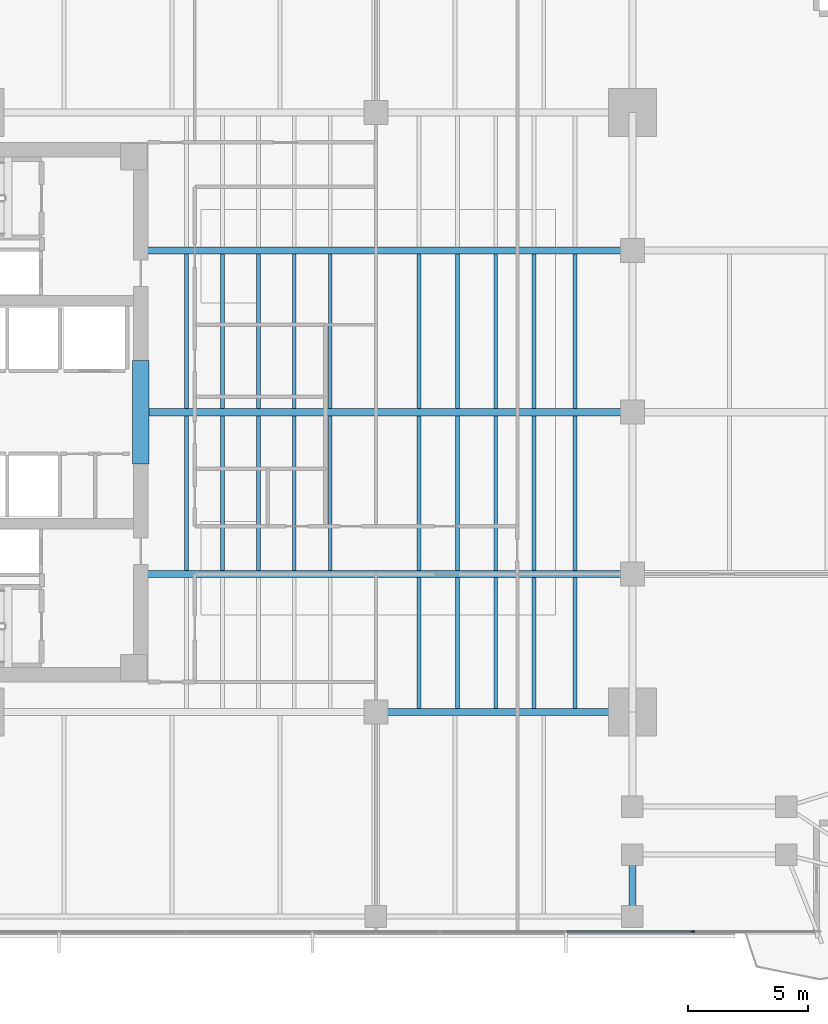
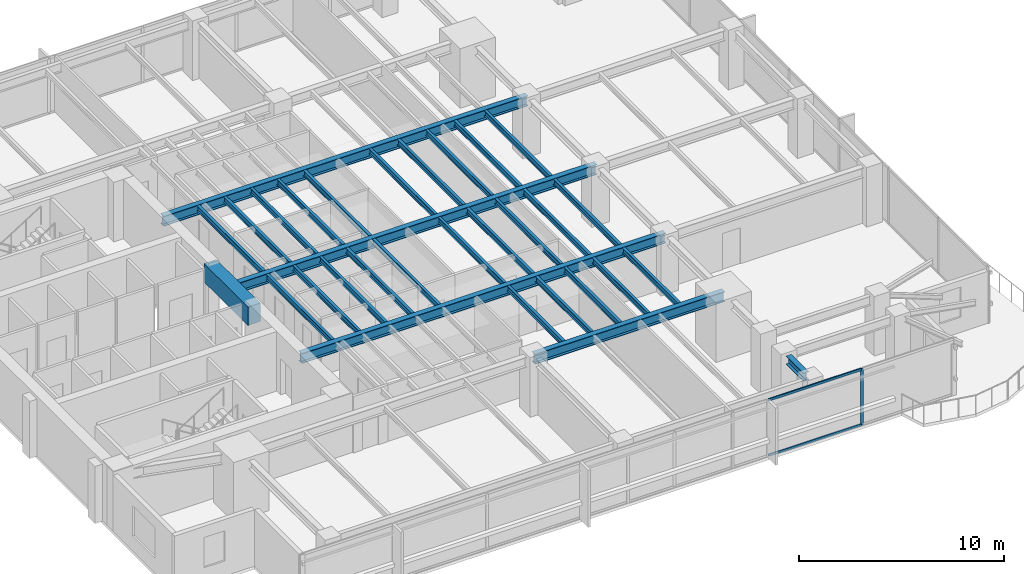
# One storey, part 3 of 14: 31 beams, 3 members, 1 element without a shape of its own.
"""IFC4 building model written with IfcOpenShell, lengths in metres."""

from ifc_helpers import new_model, si_unit, direction, frame, origin, origin_2d, place, context, subcontext, project, spatial, rectangle, i_section, extrude, material, layer, layer_set, material_profile, profile_set, type_object, element, aggregate, save


model = new_model("IFC4")

# Units and contexts
model_context = context("Model", 3, precision=1e-05, world=origin(), true_north=direction((0.0, 1.0)))
body_context = subcontext(model_context, "Body", "Model", "MODEL_VIEW")
ifc_project = project(units=[si_unit("LENGTHUNIT", "METRE"), si_unit("AREAUNIT", "SQUARE_METRE"), si_unit("VOLUMEUNIT", "CUBIC_METRE"), si_unit("PLANEANGLEUNIT", "RADIAN"), si_unit("MASSUNIT", "GRAM", prefix="KILO")], contexts=[model_context])

# Site, building, storey
site_placement = place(None, origin())
site = spatial("IfcSite", under=ifc_project, at=site_placement, CompositionType="ELEMENT")
building_placement = place(site_placement, origin())
building = spatial("IfcBuilding", under=site, at=building_placement, Name="Kinhvarn Gate Tower", CompositionType="ELEMENT")
storey_placement = place(building_placement, frame((0.0, 0.0, 137.75)))
storey = spatial("IfcBuildingStorey", under=building, at=storey_placement, Name="L36", CompositionType="ELEMENT", Elevation=137.75)

# Beam
ifc_material_1 = material(Name="Concrete C70/85", Category="concrete")
ifc_material_profile_1 = material_profile(ifc_material_1, rectangle(XDim=0.699951171875, YDim=1.10009765625, at=origin_2d()), Name="RC 700x1100")
ifc_profile_set_1 = profile_set([ifc_material_profile_1], Name="Concrete C70/85")
beam_type_1 = type_object("IfcBeamType", Name="BM-CB-1100", PredefinedType="LINTEL", material=ifc_profile_set_1)
beam_1_placement = place(storey_placement, frame((17.699951171875, 23.10009765625, 2.820068359375), z_axis=(0.0, 1.0, 0.0), x_axis=(-1.0, 0.0, 0.0)))
element("IfcBeam", 1, at=beam_1_placement, inside=storey, type_object=beam_type_1, Name="Core East Portal Coupling Beam L36", PredefinedType="LINTEL", context=body_context, shape_type="SweptSolid", body=[
    extrude(rectangle(XDim=0.699951171875, YDim=1.10009765625, at=origin_2d()), origin(), (0.0, 0.0, 1.0), 4.2998046875),
])

# Curtain wall, members
ifc_material_2 = material(Name="Anodised aluminium AW-6063", Category="aluminium")
ifc_layer = layer(ifc_material_2, 0.179931640625)
ifc_layer_set = layer_set([ifc_layer], Name="Anodised aluminium AW-6063")
curtain_wall_type = type_object("IfcCurtainWallType", Name="CW-SYS-3", PredefinedType="NOTDEFINED", material=ifc_layer_set)
curtain_wall_placement = place(storey_placement, origin())
curtain_wall = element("IfcCurtainWall", 2, at=curtain_wall_placement, inside=storey, type_object=curtain_wall_type, Name="Curtain Wall CW3 (L36)", PredefinedType="NOTDEFINED")
ifc_material_profile_2 = material_profile(ifc_material_2, rectangle(XDim=0.06494140625, YDim=0.159912109375, at=origin_2d()), Name="ALU 65x160")
ifc_profile_set_2 = profile_set([ifc_material_profile_2], Name="Anodised aluminium AW-6063")
member_type_1 = type_object("IfcMemberType", Name="CW-MUL-160", PredefinedType="MULLION", material=ifc_profile_set_2)
member_1_placement = place(storey_placement, frame((40.71435546875, 3.590087890625, 0.0), z_axis=(0.0, 0.0, 1.0), x_axis=(0.0, 1.0, 0.0)))
member_1 = element("IfcMember", 3, at=member_1_placement, type_object=member_type_1, Name="CW3 mullion 7", PredefinedType="MULLION", context=body_context, shape_type="SweptSolid", body=[
    extrude(rectangle(XDim=0.06494140625, YDim=0.159912109375, at=origin_2d()), origin(), (0.0, 0.0, 1.0), 3.3701171875),
])
ifc_material_profile_3 = material_profile(ifc_material_2, rectangle(XDim=0.070068359375, YDim=0.139892578125, at=origin_2d()), Name="ALU 70x140")
ifc_profile_set_3 = profile_set([ifc_material_profile_3], Name="Anodised aluminium AW-6063")
member_type_2 = type_object("IfcMemberType", Name="CW-TRN-140", PredefinedType="USERDEFINED", material=ifc_profile_set_3)
member_2_placement = place(storey_placement, frame((35.461181640625, 3.590087890625, 0.034912109375), z_axis=(1.0, 0.0, 0.0), x_axis=(0.0, 1.0, 0.0)))
member_2 = element("IfcMember", 4, at=member_2_placement, type_object=member_type_2, Name="CW3 transom 6.1", ObjectType="TRANSOM", PredefinedType="USERDEFINED", context=body_context, shape_type="SweptSolid", body=[
    extrude(rectangle(XDim=0.070068359375, YDim=0.139892578125, at=origin_2d()), origin(), (0.0, 0.0, 1.0), 5.220703125),
])
member_3_placement = place(storey_placement, frame((35.461181640625, 3.590087890625, 3.3349609375), z_axis=(1.0, 0.0, 0.0), x_axis=(0.0, 1.0, 0.0)))
member_3 = element("IfcMember", 5, at=member_3_placement, type_object=member_type_2, Name="CW3 transom 6.2", ObjectType="TRANSOM", PredefinedType="USERDEFINED", context=body_context, shape_type="SweptSolid", body=[
    extrude(rectangle(XDim=0.070068359375, YDim=0.139892578125, at=origin_2d()), origin(), (0.0, 0.0, 1.0), 5.220703125),
])
aggregate(curtain_wall, [member_1, member_2, member_3])

# Beams
ifc_material_3 = material(Name="Steel S355", Category="steel")
ifc_material_profile_4 = material_profile(ifc_material_3, i_section(OverallWidth=0.300048828125, OverallDepth=0.5, WebThickness=0.014404296875, FlangeThickness=0.028076171875, at=origin_2d()), Name="HEB 500")
ifc_profile_set_4 = profile_set([ifc_material_profile_4], Name="Steel S355")
beam_type_2 = type_object("IfcBeamType", Name="STL-HEB500", PredefinedType="BEAM", material=ifc_profile_set_4)
beam_2_placement = place(storey_placement, frame((38.199951171875, 4.655029296875, 3.1201171875), z_axis=(0.0, 1.0, 0.0), x_axis=(-1.0, 0.0, 0.0)))
element("IfcBeam", 6, at=beam_2_placement, inside=storey, type_object=beam_type_2, Name="Floor Beam PG-14 (L36 MCE-S-A0)", PredefinedType="BEAM", context=body_context, shape_type="SweptSolid", body=[
    extrude(i_section(OverallWidth=0.300048828125, OverallDepth=0.5, WebThickness=0.014404296875, FlangeThickness=0.028076171875, at=origin_2d()), origin(), (0.0, 0.0, 1.0), 1.7099609375),
])
ifc_material_profile_5 = material_profile(ifc_material_3, i_section(OverallWidth=0.300048828125, OverallDepth=0.60009765625, WebThickness=0.015380859375, FlangeThickness=0.030029296875, at=origin_2d()), Name="HEB 600")
ifc_profile_set_5 = profile_set([ifc_material_profile_5], Name="Steel S355")
beam_type_3 = type_object("IfcBeamType", Name="STL-HEB600", PredefinedType="BEAM", material=ifc_profile_set_5)
beam_3_placement = place(storey_placement, frame((27.5, 12.75, 3.070068359375), z_axis=(1.0, 0.0, 0.0), x_axis=(0.0, 1.0, 0.0)))
element("IfcBeam", 7, at=beam_3_placement, inside=storey, type_object=beam_type_3, Name="Floor Beam PG-16 (L36 MG-S2)", PredefinedType="BEAM", context=body_context, shape_type="SweptSolid", body=[
    extrude(i_section(OverallWidth=0.300048828125, OverallDepth=0.60009765625, WebThickness=0.015380859375, FlangeThickness=0.030029296875, at=origin_2d()), origin(), (0.0, 0.0, 1.0), 10.699951171875),
])
beam_4_placement = place(storey_placement, frame((17.64990234375, 18.5, 3.070068359375), z_axis=(1.0, 0.0, 0.0), x_axis=(0.0, 1.0, 0.0)))
element("IfcBeam", 8, at=beam_4_placement, inside=storey, type_object=beam_type_3, Name="Floor Beam PG-16 (L36 EW1-Y18)", PredefinedType="BEAM", context=body_context, shape_type="SweptSolid", body=[
    extrude(i_section(OverallWidth=0.300048828125, OverallDepth=0.60009765625, WebThickness=0.015380859375, FlangeThickness=0.030029296875, at=origin_2d()), origin(), (0.0, 0.0, 1.0), 20.550048828125),
])
beam_5_placement = place(storey_placement, frame((18.050048828125, 25.25, 3.070068359375), z_axis=(1.0, 0.0, 0.0), x_axis=(0.0, 1.0, 0.0)))
element("IfcBeam", 9, at=beam_5_placement, inside=storey, type_object=beam_type_3, Name="Floor Beam PG-16 (L36 EW1-Y25)", PredefinedType="BEAM", context=body_context, shape_type="SweptSolid", body=[
    extrude(i_section(OverallWidth=0.300048828125, OverallDepth=0.60009765625, WebThickness=0.015380859375, FlangeThickness=0.030029296875, at=origin_2d()), origin(), (0.0, 0.0, 1.0), 20.14990234375),
])
beam_6_placement = place(storey_placement, frame((17.64990234375, 32.0, 3.070068359375), z_axis=(1.0, 0.0, 0.0), x_axis=(0.0, 1.0, 0.0)))
element("IfcBeam", 10, at=beam_6_placement, inside=storey, type_object=beam_type_3, Name="Floor Beam PG-16 (L36 EW1-Y32)", PredefinedType="BEAM", context=body_context, shape_type="SweptSolid", body=[
    extrude(i_section(OverallWidth=0.300048828125, OverallDepth=0.60009765625, WebThickness=0.015380859375, FlangeThickness=0.030029296875, at=origin_2d()), origin(), (0.0, 0.0, 1.0), 20.550048828125),
])
ifc_material_profile_6 = material_profile(ifc_material_3, i_section(OverallWidth=0.159912109375, OverallDepth=0.330078125, WebThickness=0.007568359375, FlangeThickness=0.011474609375, at=origin_2d()), Name="IPE 330")
ifc_profile_set_6 = profile_set([ifc_material_profile_6], Name="Steel S355")
beam_type_4 = type_object("IfcBeamType", Name="STL-IPE330", PredefinedType="JOIST", material=ifc_profile_set_6)
for number, where, z_axis, x_axis, name in (
    (11, (19.60009765625, 18.64990234375, 3.205078125), (0.0, 1.0, 0.0), (-1.0, 0.0, 0.0), "Floor Joist SB-03 (L36 JC-X196-1)"),
    (12, (19.60009765625, 25.39990234375, 3.205078125), (0.0, 1.0, 0.0), (-1.0, 0.0, 0.0), "Floor Joist SB-03 (L36 JC-X196-2)"),
    (13, (21.10009765625, 18.64990234375, 3.205078125), (0.0, 1.0, 0.0), (-1.0, 0.0, 0.0), "Floor Joist SB-03 (L36 JC-X211-1)"),
    (14, (21.10009765625, 25.39990234375, 3.205078125), (0.0, 1.0, 0.0), (-1.0, 0.0, 0.0), "Floor Joist SB-03 (L36 JC-X211-2)"),
    (15, (22.60009765625, 18.64990234375, 3.205078125), (0.0, 1.0, 0.0), (-1.0, 0.0, 0.0), "Floor Joist SB-03 (L36 JC-X226-1)"),
    (16, (22.60009765625, 25.39990234375, 3.205078125), (0.0, 1.0, 0.0), (-1.0, 0.0, 0.0), "Floor Joist SB-03 (L36 JC-X226-2)"),
    (17, (24.10009765625, 18.64990234375, 3.205078125), (0.0, 1.0, 0.0), (-1.0, 0.0, 0.0), "Floor Joist SB-03 (L36 JC-X241-1)"),
    (18, (24.10009765625, 25.39990234375, 3.205078125), (0.0, 1.0, 0.0), (-1.0, 0.0, 0.0), "Floor Joist SB-03 (L36 JC-X241-2)"),
    (19, (25.60009765625, 18.64990234375, 3.205078125), (0.0, 1.0, 0.0), (-1.0, 0.0, 0.0), "Floor Joist SB-03 (L36 JC-X256-1)"),
    (20, (25.60009765625, 25.39990234375, 3.205078125), (0.0, 1.0, 0.0), (-1.0, 0.0, 0.0), "Floor Joist SB-03 (L36 JC-X256-2)"),
):
    element("IfcBeam", number, at=place(storey_placement, frame(where, z_axis=z_axis, x_axis=x_axis)), inside=storey, type_object=beam_type_4, Name=name, PredefinedType="JOIST", context=body_context, shape_type="SweptSolid", body=[
        extrude(i_section(OverallWidth=0.159912109375, OverallDepth=0.330078125, WebThickness=0.007568359375, FlangeThickness=0.011474609375, at=origin_2d()), origin(), (0.0, 0.0, 1.0), 6.4501953125),
    ])
beam_7_placement = place(storey_placement, frame((29.300048828125, 12.89990234375, 3.205078125), z_axis=(0.0, 1.0, 0.0), x_axis=(-1.0, 0.0, 0.0)))
element("IfcBeam", 21, at=beam_7_placement, inside=storey, type_object=beam_type_4, Name="Floor Joist SB-03 (L36 JC-X293-0)", PredefinedType="JOIST", context=body_context, shape_type="SweptSolid", body=[
    extrude(i_section(OverallWidth=0.159912109375, OverallDepth=0.330078125, WebThickness=0.007568359375, FlangeThickness=0.011474609375, at=origin_2d()), origin(), (0.0, 0.0, 1.0), 5.4501953125),
])
for number, where, z_axis, x_axis, name in (
    (22, (29.300048828125, 18.64990234375, 3.205078125), (0.0, 1.0, 0.0), (-1.0, 0.0, 0.0), "Floor Joist SB-03 (L36 JC-X293-1)"),
    (23, (29.300048828125, 25.39990234375, 3.205078125), (0.0, 1.0, 0.0), (-1.0, 0.0, 0.0), "Floor Joist SB-03 (L36 JC-X293-2)"),
):
    element("IfcBeam", number, at=place(storey_placement, frame(where, z_axis=z_axis, x_axis=x_axis)), inside=storey, type_object=beam_type_4, Name=name, PredefinedType="JOIST", context=body_context, shape_type="SweptSolid", body=[
        extrude(i_section(OverallWidth=0.159912109375, OverallDepth=0.330078125, WebThickness=0.007568359375, FlangeThickness=0.011474609375, at=origin_2d()), origin(), (0.0, 0.0, 1.0), 6.4501953125),
    ])
beam_8_placement = place(storey_placement, frame((30.89990234375, 12.89990234375, 3.205078125), z_axis=(0.0, 1.0, 0.0), x_axis=(-1.0, 0.0, 0.0)))
element("IfcBeam", 24, at=beam_8_placement, inside=storey, type_object=beam_type_4, Name="Floor Joist SB-03 (L36 JC-X309-0)", PredefinedType="JOIST", context=body_context, shape_type="SweptSolid", body=[
    extrude(i_section(OverallWidth=0.159912109375, OverallDepth=0.330078125, WebThickness=0.007568359375, FlangeThickness=0.011474609375, at=origin_2d()), origin(), (0.0, 0.0, 1.0), 5.4501953125),
])
for number, where, z_axis, x_axis, name in (
    (25, (30.89990234375, 18.64990234375, 3.205078125), (0.0, 1.0, 0.0), (-1.0, 0.0, 0.0), "Floor Joist SB-03 (L36 JC-X309-1)"),
    (26, (30.89990234375, 25.39990234375, 3.205078125), (0.0, 1.0, 0.0), (-1.0, 0.0, 0.0), "Floor Joist SB-03 (L36 JC-X309-2)"),
):
    element("IfcBeam", number, at=place(storey_placement, frame(where, z_axis=z_axis, x_axis=x_axis)), inside=storey, type_object=beam_type_4, Name=name, PredefinedType="JOIST", context=body_context, shape_type="SweptSolid", body=[
        extrude(i_section(OverallWidth=0.159912109375, OverallDepth=0.330078125, WebThickness=0.007568359375, FlangeThickness=0.011474609375, at=origin_2d()), origin(), (0.0, 0.0, 1.0), 6.4501953125),
    ])
beam_9_placement = place(storey_placement, frame((32.5, 12.89990234375, 3.205078125), z_axis=(0.0, 1.0, 0.0), x_axis=(-1.0, 0.0, 0.0)))
element("IfcBeam", 27, at=beam_9_placement, inside=storey, type_object=beam_type_4, Name="Floor Joist SB-03 (L36 JC-X325-0)", PredefinedType="JOIST", context=body_context, shape_type="SweptSolid", body=[
    extrude(i_section(OverallWidth=0.159912109375, OverallDepth=0.330078125, WebThickness=0.007568359375, FlangeThickness=0.011474609375, at=origin_2d()), origin(), (0.0, 0.0, 1.0), 5.4501953125),
])
for number, where, z_axis, x_axis, name in (
    (28, (32.5, 18.64990234375, 3.205078125), (0.0, 1.0, 0.0), (-1.0, 0.0, 0.0), "Floor Joist SB-03 (L36 JC-X325-1)"),
    (29, (32.5, 25.39990234375, 3.205078125), (0.0, 1.0, 0.0), (-1.0, 0.0, 0.0), "Floor Joist SB-03 (L36 JC-X325-2)"),
):
    element("IfcBeam", number, at=place(storey_placement, frame(where, z_axis=z_axis, x_axis=x_axis)), inside=storey, type_object=beam_type_4, Name=name, PredefinedType="JOIST", context=body_context, shape_type="SweptSolid", body=[
        extrude(i_section(OverallWidth=0.159912109375, OverallDepth=0.330078125, WebThickness=0.007568359375, FlangeThickness=0.011474609375, at=origin_2d()), origin(), (0.0, 0.0, 1.0), 6.4501953125),
    ])
beam_10_placement = place(storey_placement, frame((34.10009765625, 12.89990234375, 3.205078125), z_axis=(0.0, 1.0, 0.0), x_axis=(-1.0, 0.0, 0.0)))
element("IfcBeam", 30, at=beam_10_placement, inside=storey, type_object=beam_type_4, Name="Floor Joist SB-03 (L36 JC-X341-0)", PredefinedType="JOIST", context=body_context, shape_type="SweptSolid", body=[
    extrude(i_section(OverallWidth=0.159912109375, OverallDepth=0.330078125, WebThickness=0.007568359375, FlangeThickness=0.011474609375, at=origin_2d()), origin(), (0.0, 0.0, 1.0), 5.4501953125),
])
for number, where, z_axis, x_axis, name in (
    (31, (34.10009765625, 18.64990234375, 3.205078125), (0.0, 1.0, 0.0), (-1.0, 0.0, 0.0), "Floor Joist SB-03 (L36 JC-X341-1)"),
    (32, (34.10009765625, 25.39990234375, 3.205078125), (0.0, 1.0, 0.0), (-1.0, 0.0, 0.0), "Floor Joist SB-03 (L36 JC-X341-2)"),
):
    element("IfcBeam", number, at=place(storey_placement, frame(where, z_axis=z_axis, x_axis=x_axis)), inside=storey, type_object=beam_type_4, Name=name, PredefinedType="JOIST", context=body_context, shape_type="SweptSolid", body=[
        extrude(i_section(OverallWidth=0.159912109375, OverallDepth=0.330078125, WebThickness=0.007568359375, FlangeThickness=0.011474609375, at=origin_2d()), origin(), (0.0, 0.0, 1.0), 6.4501953125),
    ])
beam_11_placement = place(storey_placement, frame((35.800048828125, 12.89990234375, 3.205078125), z_axis=(0.0, 1.0, 0.0), x_axis=(-1.0, 0.0, 0.0)))
element("IfcBeam", 33, at=beam_11_placement, inside=storey, type_object=beam_type_4, Name="Floor Joist SB-03 (L36 JC-X358-0)", PredefinedType="JOIST", context=body_context, shape_type="SweptSolid", body=[
    extrude(i_section(OverallWidth=0.159912109375, OverallDepth=0.330078125, WebThickness=0.007568359375, FlangeThickness=0.011474609375, at=origin_2d()), origin(), (0.0, 0.0, 1.0), 5.4501953125),
])
for number, where, z_axis, x_axis, name in (
    (34, (35.800048828125, 18.64990234375, 3.205078125), (0.0, 1.0, 0.0), (-1.0, 0.0, 0.0), "Floor Joist SB-03 (L36 JC-X358-1)"),
    (35, (35.800048828125, 25.39990234375, 3.205078125), (0.0, 1.0, 0.0), (-1.0, 0.0, 0.0), "Floor Joist SB-03 (L36 JC-X358-2)"),
):
    element("IfcBeam", number, at=place(storey_placement, frame(where, z_axis=z_axis, x_axis=x_axis)), inside=storey, type_object=beam_type_4, Name=name, PredefinedType="JOIST", context=body_context, shape_type="SweptSolid", body=[
        extrude(i_section(OverallWidth=0.159912109375, OverallDepth=0.330078125, WebThickness=0.007568359375, FlangeThickness=0.011474609375, at=origin_2d()), origin(), (0.0, 0.0, 1.0), 6.4501953125),
    ])

save(model, "model.ifc")
